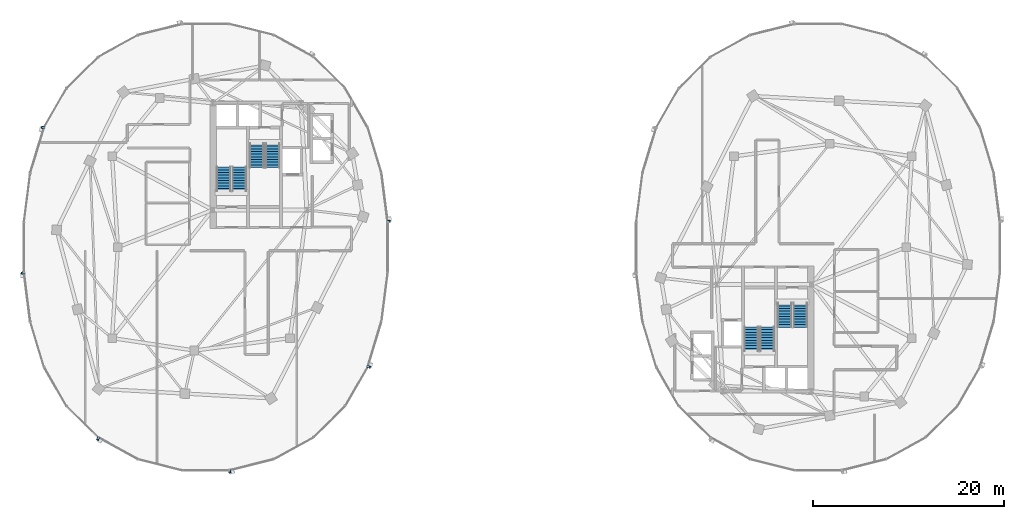
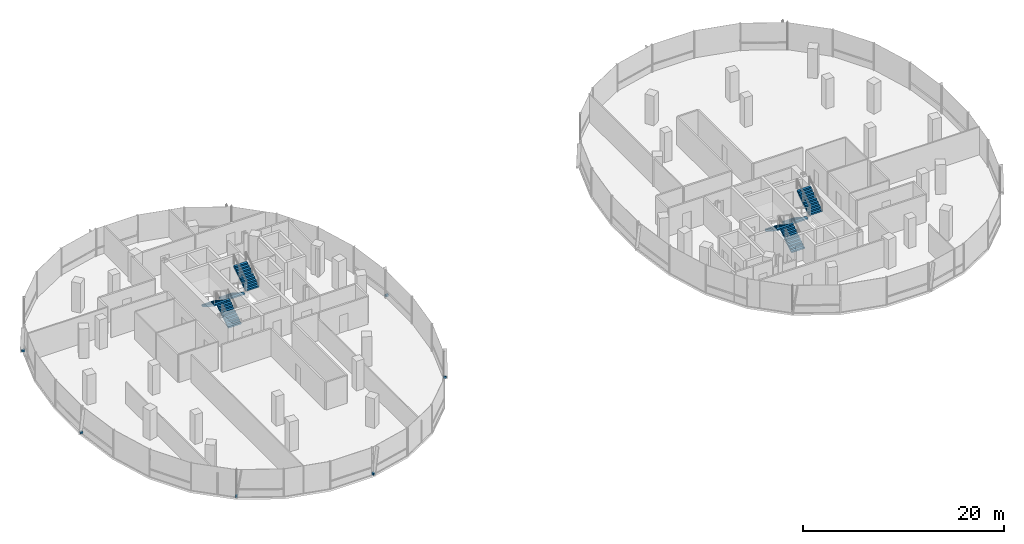
# One storey, part 15 of 22: 8 stair flights, 6 discrete accessories, 4 elements without a shape of their own.
"""IFC4 building model written with IfcOpenShell, lengths in metres."""

from ifc_helpers import new_model, si_unit, direction, frame, origin, origin_2d, place, context, subcontext, project, spatial, polyline, rectangle, outline, extrude, material, type_object, element, aggregate, save


model = new_model("IFC4")

# Units and contexts
model_context = context("Model", 3, precision=1e-05, world=origin(), true_north=direction((0.0, 1.0)))
body_context = subcontext(model_context, "Body", "Model", "MODEL_VIEW")
ifc_project = project(units=[si_unit("LENGTHUNIT", "METRE"), si_unit("AREAUNIT", "SQUARE_METRE"), si_unit("VOLUMEUNIT", "CUBIC_METRE"), si_unit("PLANEANGLEUNIT", "RADIAN"), si_unit("MASSUNIT", "GRAM", prefix="KILO"), si_unit("THERMODYNAMICTEMPERATUREUNIT", "KELVIN"), si_unit("POWERUNIT", "WATT")], contexts=[model_context])

# Site, building, storey
site_placement = place(None, origin())
site = spatial("IfcSite", under=ifc_project, at=site_placement, CompositionType="ELEMENT")
building_placement = place(site_placement, origin())
building = spatial("IfcBuilding", under=site, at=building_placement, Name="Cundina Bronze Exchange", CompositionType="ELEMENT")
storey_placement = place(building_placement, frame((0.0, 0.0, 144.0)))
storey = spatial("IfcBuildingStorey", under=building, at=storey_placement, Name="L37", CompositionType="ELEMENT", Elevation=144.0)

# Stair, stair flights
ifc_material_1 = material(Name="Concrete C40/50", Category="concrete")
stair_type = type_object("IfcStairType", Name="STR-OFF-360", PredefinedType="HALF_TURN_STAIR", material=ifc_material_1)
stair_1_placement = place(storey_placement, origin())
stair_1 = element("IfcStair", 1, at=stair_1_placement, inside=storey, type_object=stair_type, Name="L37 Smokeproof Exit Stair W1", PredefinedType="HALF_TURN_STAIR")
stair_flight_type = type_object("IfcStairFlightType", Name="FLG-OFF-180", PredefinedType="STRAIGHT", material=ifc_material_1)
stair_flight_1_placement = place(storey_placement, frame((-28.489990234375, 5.85009765625, 0.0), z_axis=(0.0, 0.0, 1.0), x_axis=(0.0, 1.0, 0.0)))
stair_flight_1 = element("IfcStairFlight", 2, at=stair_flight_1_placement, type_object=stair_flight_type, Name="ST-W1 flight 1", NumberOfRisers=10, NumberOfTreads=9, PredefinedType="STRAIGHT", RiserHeight=0.18, TreadLength=0.28, context=body_context, shape_type="SweptSolid", body=[
    extrude(outline(polyline([(0.0, 0.0), (0.0, 0.179931640625), (0.280029296875, 0.179931640625), (0.280029296875, 0.360107421875), (0.56005859375, 0.360107421875), (0.56005859375, 0.5400390625), (0.840087890625, 0.5400390625), (0.840087890625, 0.719970703125), (1.1201171875, 0.719970703125), (1.1201171875, 0.89990234375), (1.39990234375, 0.89990234375), (1.39990234375, 1.080078125), (1.679931640625, 1.080078125), (1.679931640625, 1.260009765625), (1.9599609375, 1.260009765625), (1.9599609375, 1.43994140625), (2.239990234375, 1.43994140625), (2.239990234375, 1.6201171875), (2.52001953125, 1.6201171875), (2.52001953125, 1.800048828125), (2.52001953125, 1.44189453125), (0.277099609375, 0.0), (0.0, 0.0)])), frame((0.0, 0.75, 0.0), z_axis=(0.0, -1.0, 0.0), x_axis=(1.0, 0.0, 0.0)), (0.0, 0.0, 1.0), 1.5),
])
stair_flight_2_placement = place(storey_placement, frame((-30.14990234375, 8.3701171875, 1.800048828125), z_axis=(0.0, 0.0, 1.0), x_axis=(0.0, -1.0, 0.0)))
stair_flight_2 = element("IfcStairFlight", 3, at=stair_flight_2_placement, type_object=stair_flight_type, Name="ST-W1 flight 2", NumberOfRisers=10, NumberOfTreads=9, PredefinedType="STRAIGHT", RiserHeight=0.18, TreadLength=0.28, context=body_context, shape_type="SweptSolid", body=[
    extrude(outline(polyline([(0.0, 0.0), (0.0, 0.179931640625), (0.280029296875, 0.179931640625), (0.280029296875, 0.360107421875), (0.56005859375, 0.360107421875), (0.56005859375, 0.5400390625), (0.840087890625, 0.5400390625), (0.840087890625, 0.719970703125), (1.1201171875, 0.719970703125), (1.1201171875, 0.89990234375), (1.39990234375, 0.89990234375), (1.39990234375, 1.080078125), (1.679931640625, 1.080078125), (1.679931640625, 1.260009765625), (1.9599609375, 1.260009765625), (1.9599609375, 1.43994140625), (2.239990234375, 1.43994140625), (2.239990234375, 1.6201171875), (2.52001953125, 1.6201171875), (2.52001953125, 1.800048828125), (2.52001953125, 1.44189453125), (0.277099609375, 0.0), (0.0, 0.0)])), frame((0.0, 0.75, 0.0), z_axis=(0.0, -1.0, 0.0), x_axis=(1.0, 0.0, 0.0)), (0.0, 0.0, 1.0), 1.5),
])
aggregate(stair_1, [stair_flight_1, stair_flight_2])

stair_2_placement = place(storey_placement, origin())
stair_2 = element("IfcStair", 4, at=stair_2_placement, inside=storey, type_object=stair_type, Name="L37 Smokeproof Exit Stair W2", PredefinedType="HALF_TURN_STAIR")
stair_flight_3_placement = place(storey_placement, frame((-26.68994140625, 10.85009765625, 0.0), z_axis=(0.0, 0.0, 1.0), x_axis=(0.0, -1.0, 0.0)))
stair_flight_3 = element("IfcStairFlight", 5, at=stair_flight_3_placement, type_object=stair_flight_type, Name="ST-W2 flight 1", NumberOfRisers=10, NumberOfTreads=9, PredefinedType="STRAIGHT", RiserHeight=0.18, TreadLength=0.28, context=body_context, shape_type="SweptSolid", body=[
    extrude(outline(polyline([(0.0, 0.0), (0.0, 0.179931640625), (0.280029296875, 0.179931640625), (0.280029296875, 0.360107421875), (0.56005859375, 0.360107421875), (0.56005859375, 0.5400390625), (0.840087890625, 0.5400390625), (0.840087890625, 0.719970703125), (1.1201171875, 0.719970703125), (1.1201171875, 0.89990234375), (1.39990234375, 0.89990234375), (1.39990234375, 1.080078125), (1.679931640625, 1.080078125), (1.679931640625, 1.260009765625), (1.9599609375, 1.260009765625), (1.9599609375, 1.43994140625), (2.239990234375, 1.43994140625), (2.239990234375, 1.6201171875), (2.52001953125, 1.6201171875), (2.52001953125, 1.800048828125), (2.52001953125, 1.44189453125), (0.277099609375, 0.0), (0.0, 0.0)])), frame((0.0, 0.75, 0.0), z_axis=(0.0, -1.0, 0.0), x_axis=(1.0, 0.0, 0.0)), (0.0, 0.0, 1.0), 1.5),
])
stair_flight_4_placement = place(storey_placement, frame((-25.030029296875, 8.330078125, 1.800048828125), z_axis=(0.0, 0.0, 1.0), x_axis=(0.0, 1.0, 0.0)))
stair_flight_4 = element("IfcStairFlight", 6, at=stair_flight_4_placement, type_object=stair_flight_type, Name="ST-W2 flight 2", NumberOfRisers=10, NumberOfTreads=9, PredefinedType="STRAIGHT", RiserHeight=0.18, TreadLength=0.28, context=body_context, shape_type="SweptSolid", body=[
    extrude(outline(polyline([(0.0, 0.0), (0.0, 0.179931640625), (0.280029296875, 0.179931640625), (0.280029296875, 0.360107421875), (0.56005859375, 0.360107421875), (0.56005859375, 0.5400390625), (0.840087890625, 0.5400390625), (0.840087890625, 0.719970703125), (1.1201171875, 0.719970703125), (1.1201171875, 0.89990234375), (1.39990234375, 0.89990234375), (1.39990234375, 1.080078125), (1.679931640625, 1.080078125), (1.679931640625, 1.260009765625), (1.9599609375, 1.260009765625), (1.9599609375, 1.43994140625), (2.239990234375, 1.43994140625), (2.239990234375, 1.6201171875), (2.52001953125, 1.6201171875), (2.52001953125, 1.800048828125), (2.52001953125, 1.44189453125), (0.277099609375, 0.0), (0.0, 0.0)])), frame((0.0, 0.75, 0.0), z_axis=(0.0, -1.0, 0.0), x_axis=(1.0, 0.0, 0.0)), (0.0, 0.0, 1.0), 1.5),
])
aggregate(stair_2, [stair_flight_3, stair_flight_4])

stair_3_placement = place(storey_placement, origin())
stair_3 = element("IfcStair", 7, at=stair_3_placement, inside=storey, type_object=stair_type, Name="L37 Smokeproof Exit Stair E1", PredefinedType="HALF_TURN_STAIR")
stair_flight_5_placement = place(storey_placement, frame((28.489990234375, -5.85009765625, 0.0), z_axis=(0.0, 0.0, 1.0), x_axis=(0.0, -1.0, 0.0)))
stair_flight_5 = element("IfcStairFlight", 8, at=stair_flight_5_placement, type_object=stair_flight_type, Name="ST-E1 flight 1", NumberOfRisers=10, NumberOfTreads=9, PredefinedType="STRAIGHT", RiserHeight=0.18, TreadLength=0.28, context=body_context, shape_type="SweptSolid", body=[
    extrude(outline(polyline([(0.0, 0.0), (0.0, 0.179931640625), (0.280029296875, 0.179931640625), (0.280029296875, 0.360107421875), (0.56005859375, 0.360107421875), (0.56005859375, 0.5400390625), (0.840087890625, 0.5400390625), (0.840087890625, 0.719970703125), (1.1201171875, 0.719970703125), (1.1201171875, 0.89990234375), (1.39990234375, 0.89990234375), (1.39990234375, 1.080078125), (1.679931640625, 1.080078125), (1.679931640625, 1.260009765625), (1.9599609375, 1.260009765625), (1.9599609375, 1.43994140625), (2.239990234375, 1.43994140625), (2.239990234375, 1.6201171875), (2.52001953125, 1.6201171875), (2.52001953125, 1.800048828125), (2.52001953125, 1.44189453125), (0.277099609375, 0.0), (0.0, 0.0)])), frame((0.0, 0.75, 0.0), z_axis=(0.0, -1.0, 0.0), x_axis=(1.0, 0.0, 0.0)), (0.0, 0.0, 1.0), 1.5),
])
stair_flight_6_placement = place(storey_placement, frame((30.14990234375, -8.3701171875, 1.800048828125), z_axis=(0.0, 0.0, 1.0), x_axis=(0.0, 1.0, 0.0)))
stair_flight_6 = element("IfcStairFlight", 9, at=stair_flight_6_placement, type_object=stair_flight_type, Name="ST-E1 flight 2", NumberOfRisers=10, NumberOfTreads=9, PredefinedType="STRAIGHT", RiserHeight=0.18, TreadLength=0.28, context=body_context, shape_type="SweptSolid", body=[
    extrude(outline(polyline([(0.0, 0.0), (0.0, 0.179931640625), (0.280029296875, 0.179931640625), (0.280029296875, 0.360107421875), (0.56005859375, 0.360107421875), (0.56005859375, 0.5400390625), (0.840087890625, 0.5400390625), (0.840087890625, 0.719970703125), (1.1201171875, 0.719970703125), (1.1201171875, 0.89990234375), (1.39990234375, 0.89990234375), (1.39990234375, 1.080078125), (1.679931640625, 1.080078125), (1.679931640625, 1.260009765625), (1.9599609375, 1.260009765625), (1.9599609375, 1.43994140625), (2.239990234375, 1.43994140625), (2.239990234375, 1.6201171875), (2.52001953125, 1.6201171875), (2.52001953125, 1.800048828125), (2.52001953125, 1.44189453125), (0.277099609375, 0.0), (0.0, 0.0)])), frame((0.0, 0.75, 0.0), z_axis=(0.0, -1.0, 0.0), x_axis=(1.0, 0.0, 0.0)), (0.0, 0.0, 1.0), 1.5),
])
aggregate(stair_3, [stair_flight_5, stair_flight_6])

stair_4_placement = place(storey_placement, origin())
stair_4 = element("IfcStair", 10, at=stair_4_placement, inside=storey, type_object=stair_type, Name="L37 Smokeproof Exit Stair E2", PredefinedType="HALF_TURN_STAIR")
stair_flight_7_placement = place(storey_placement, frame((26.68994140625, -10.85009765625, 0.0), z_axis=(0.0, 0.0, 1.0), x_axis=(0.0, 1.0, 0.0)))
stair_flight_7 = element("IfcStairFlight", 11, at=stair_flight_7_placement, type_object=stair_flight_type, Name="ST-E2 flight 1", NumberOfRisers=10, NumberOfTreads=9, PredefinedType="STRAIGHT", RiserHeight=0.18, TreadLength=0.28, context=body_context, shape_type="SweptSolid", body=[
    extrude(outline(polyline([(0.0, 0.0), (0.0, 0.179931640625), (0.280029296875, 0.179931640625), (0.280029296875, 0.360107421875), (0.56005859375, 0.360107421875), (0.56005859375, 0.5400390625), (0.840087890625, 0.5400390625), (0.840087890625, 0.719970703125), (1.1201171875, 0.719970703125), (1.1201171875, 0.89990234375), (1.39990234375, 0.89990234375), (1.39990234375, 1.080078125), (1.679931640625, 1.080078125), (1.679931640625, 1.260009765625), (1.9599609375, 1.260009765625), (1.9599609375, 1.43994140625), (2.239990234375, 1.43994140625), (2.239990234375, 1.6201171875), (2.52001953125, 1.6201171875), (2.52001953125, 1.800048828125), (2.52001953125, 1.44189453125), (0.277099609375, 0.0), (0.0, 0.0)])), frame((0.0, 0.75, 0.0), z_axis=(0.0, -1.0, 0.0), x_axis=(1.0, 0.0, 0.0)), (0.0, 0.0, 1.0), 1.5),
])
stair_flight_8_placement = place(storey_placement, frame((25.030029296875, -8.330078125, 1.800048828125), z_axis=(0.0, 0.0, 1.0), x_axis=(0.0, -1.0, 0.0)))
stair_flight_8 = element("IfcStairFlight", 12, at=stair_flight_8_placement, type_object=stair_flight_type, Name="ST-E2 flight 2", NumberOfRisers=10, NumberOfTreads=9, PredefinedType="STRAIGHT", RiserHeight=0.18, TreadLength=0.28, context=body_context, shape_type="SweptSolid", body=[
    extrude(outline(polyline([(0.0, 0.0), (0.0, 0.179931640625), (0.280029296875, 0.179931640625), (0.280029296875, 0.360107421875), (0.56005859375, 0.360107421875), (0.56005859375, 0.5400390625), (0.840087890625, 0.5400390625), (0.840087890625, 0.719970703125), (1.1201171875, 0.719970703125), (1.1201171875, 0.89990234375), (1.39990234375, 0.89990234375), (1.39990234375, 1.080078125), (1.679931640625, 1.080078125), (1.679931640625, 1.260009765625), (1.9599609375, 1.260009765625), (1.9599609375, 1.43994140625), (2.239990234375, 1.43994140625), (2.239990234375, 1.6201171875), (2.52001953125, 1.6201171875), (2.52001953125, 1.800048828125), (2.52001953125, 1.44189453125), (0.277099609375, 0.0), (0.0, 0.0)])), frame((0.0, 0.75, 0.0), z_axis=(0.0, -1.0, 0.0), x_axis=(1.0, 0.0, 0.0)), (0.0, 0.0, 1.0), 1.5),
])
aggregate(stair_4, [stair_flight_7, stair_flight_8])

# Discrete accessories
ifc_material_2 = material(Name="Anodised Bronze Aluminium 6063-T6", Category="aluminium")
discrete_accessory_type = type_object("IfcDiscreteAccessoryType", Name="ACC-BRK-FIN", PredefinedType="BRACKET", material=ifc_material_2)
for number, where, z_axis, x_axis, name in (
    (13, (-12.874267578125, 2.69189453125, 0.10009765625), (0.0, 0.0, 1.0), (-0.126475984253, 0.9919696696, 0.0), "L37 Fin Support Bracket 1"),
    (14, (-49.0458984375, 12.511962890625, 0.10009765625), (0.0, 0.0, 1.0), (-0.290050843957, -0.957011237092, 0.0), "L37 Fin Support Bracket 5"),
    (15, (-51.125732421875, -2.69189453125, 0.10009765625), (0.0, 0.0, 1.0), (0.126475984253, -0.9919696696, 0.0), "L37 Fin Support Bracket 1"),
    (16, (-43.266845703125, -20.015380859375, 0.10009765625), (0.0, 0.0, 1.0), (0.875869093438, -0.482548786301, 0.0), "L37 Fin Support Bracket 5"),
    (17, (-29.507080078125, -23.44970703125, 0.10009765625), (0.0, 0.0, 1.0), (0.970092713791, 0.242734683656, 0.0), "L37 Fin Support Bracket 1"),
    (18, (-14.9541015625, -12.511962890625, 0.10009765625), (0.0, 0.0, 1.0), (0.290050843957, 0.957011237092, 0.0), "L37 Fin Support Bracket 5"),
):
    element("IfcDiscreteAccessory", number, at=place(storey_placement, frame(where, z_axis=z_axis, x_axis=x_axis)), inside=storey, type_object=discrete_accessory_type, Name=name, PredefinedType="BRACKET", context=body_context, shape_type="SweptSolid", body=[
        extrude(rectangle(XDim=0.219970703125, YDim=0.320068359375, at=origin_2d()), origin(), (0.0, 0.0, 1.0), 0.239990234375),
    ])

save(model, "model.ifc")
